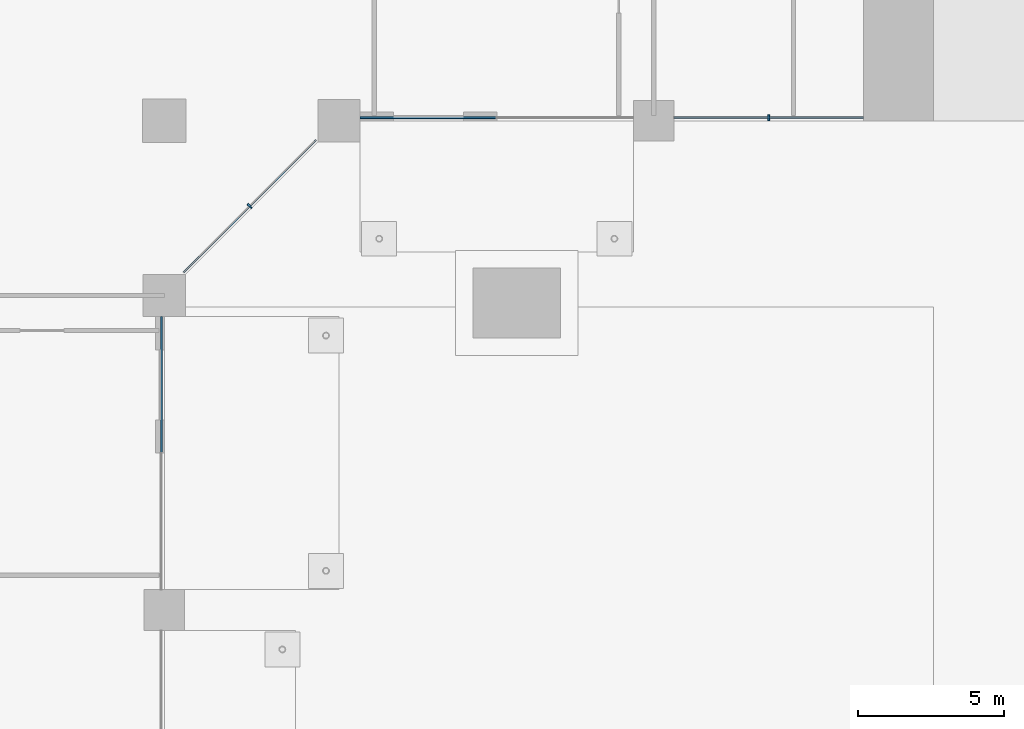
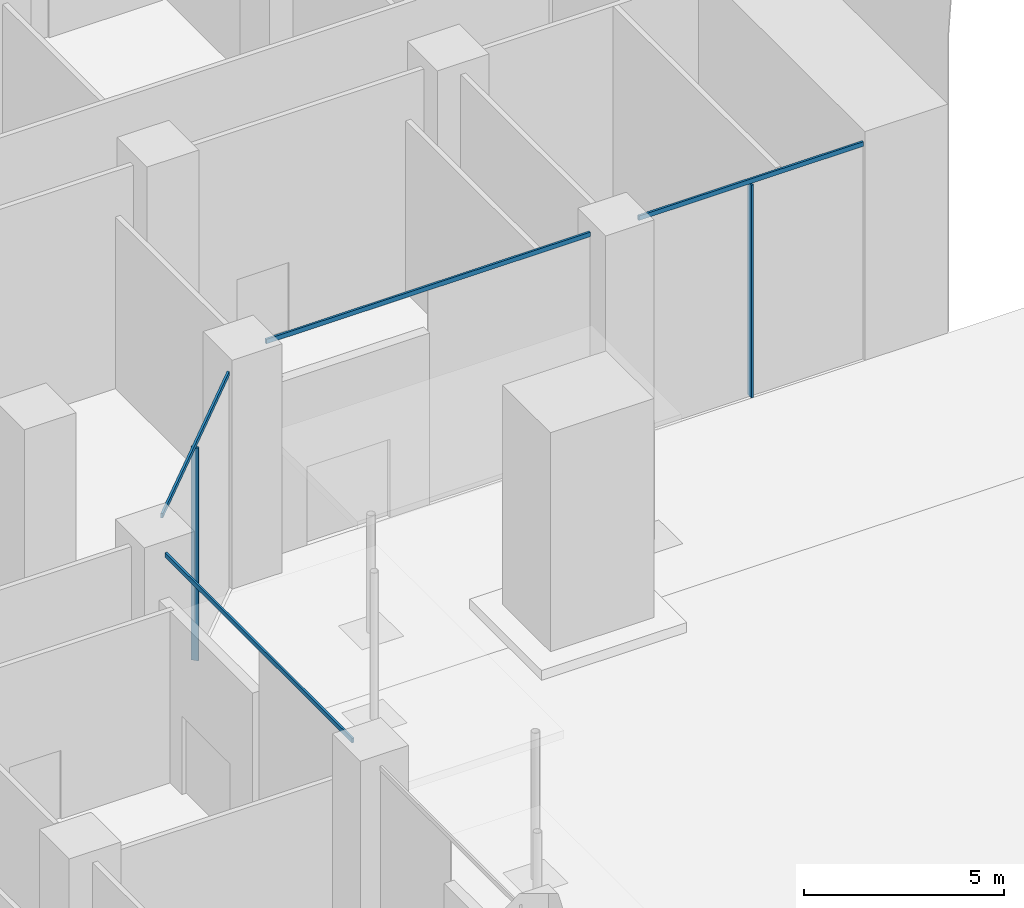
# One storey, part 11 of 32: 6 members, 3 elements without a shape of their own.
"""IFC4 building model written with IfcOpenShell, lengths in metres."""

import ifcopenshell
import ifcopenshell.guid

model = None  # the IFC model being written
_history = None  # IfcOwnerHistory: only IFC2X3 demands one
_inside = {}  # id of a spatial element -> (the spatial element, [elements in it])
_under = {}  # id of a project, library or spatial element -> (it, [spatial elements below it])
_declared = {}  # id of a project -> (the project, [libraries it declares])
_typed = {}  # id of a type object -> (the type object, [elements of that type])
_made_of = {}  # id of a material, layer set ... -> (it, [elements and type objects made of it])


def new_model(schema):
    """Start an empty IFC model of exactly this schema.

    Asked for "IFC4X3", IfcOpenShell would pick the latest addendum, in which some entities
    have other attributes; the version numbers below select the first issue.
    IFC2X3 requires an IfcOwnerHistory on every rooted entity: one is made here for all.
    """
    global model, _history
    if schema == "IFC4X3":
        model = ifcopenshell.file(schema_version=(4, 3, 0, 0))
    else:
        model = ifcopenshell.file(schema=schema)
    _inside.clear()
    _under.clear()
    _declared.clear()
    _typed.clear()
    _made_of.clear()
    _history = None
    if model.schema == "IFC2X3":
        org = make("IfcOrganization", Name="unknown")
        user = make(
            "IfcPersonAndOrganization",
            ThePerson=make("IfcPerson", FamilyName="unknown"),
            TheOrganization=org,
        )
        app = make(
            "IfcApplication",
            ApplicationDeveloper=org,
            Version="unknown",
            ApplicationFullName="unknown",
            ApplicationIdentifier="unknown",
        )
        _history = make(
            "IfcOwnerHistory",
            OwningUser=user,
            OwningApplication=app,
            ChangeAction="ADDED",
            CreationDate=0,
        )
    return model


def make(cls, **values):
    """One entity of the class cls with the attributes given. An attribute that is None is left unset."""
    return model.create_entity(
        cls, **{name: value for name, value in values.items() if value is not None}
    )


def rooted(cls, **values):
    """An entity with a GlobalId (a new one), such as an element, a storey or a relation."""
    return make(cls, GlobalId=ifcopenshell.guid.new(), OwnerHistory=_history, **values)


def si_unit(unit_type, name, prefix=None):
    """IfcSIUnit, for example si_unit("LENGTHUNIT", "METRE", prefix="MILLI")."""
    return make("IfcSIUnit", UnitType=unit_type, Prefix=prefix, Name=name)


def assignment(units):
    """IfcUnitAssignment: the units of a project."""
    return None if units is None else make("IfcUnitAssignment", Units=units)


def point(xyz):
    """IfcCartesianPoint."""
    return None if xyz is None else make("IfcCartesianPoint", Coordinates=xyz)


def direction(xyz):
    """IfcDirection."""
    return None if xyz is None else make("IfcDirection", DirectionRatios=xyz)


def frame(location, z_axis=None, x_axis=None):
    """IfcAxis2Placement3D, a coordinate frame: its origin and axes. An axis left out is left unset."""
    return make(
        "IfcAxis2Placement3D",
        Location=point(location),
        Axis=direction(z_axis),
        RefDirection=direction(x_axis),
    )


def frame_2d(location, x_axis=None):
    """IfcAxis2Placement2D, a coordinate frame in the plane: its origin and x axis."""
    return make(
        "IfcAxis2Placement2D", Location=point(location), RefDirection=direction(x_axis)
    )


def origin():
    """The frame at (0, 0, 0) with its axes left unset."""
    return frame((0.0, 0.0, 0.0))


def origin_2d():
    """The frame at (0, 0) in the plane with its x axis left unset."""
    return frame_2d((0.0, 0.0))


def place(relative_to, where):
    """IfcLocalPlacement: puts the frame where relative to a parent placement (None: the world)."""
    return make(
        "IfcLocalPlacement", PlacementRelTo=relative_to, RelativePlacement=where
    )


def context(
    kind, dimensions, precision=None, world=None, true_north=None, identifier=None
):
    """IfcGeometricRepresentationContext, for example the 3D "Model" context."""
    return make(
        "IfcGeometricRepresentationContext",
        ContextIdentifier=identifier,
        ContextType=kind,
        CoordinateSpaceDimension=dimensions,
        Precision=precision,
        WorldCoordinateSystem=world,
        TrueNorth=true_north,
    )


def subcontext(parent, identifier, kind, view, scale=None):
    """IfcGeometricRepresentationSubContext, for example "Body" below "Model"."""
    return make(
        "IfcGeometricRepresentationSubContext",
        ContextIdentifier=identifier,
        ContextType=kind,
        ParentContext=parent,
        TargetScale=scale,
        TargetView=view,
    )


def project(units=None, contexts=None):
    """IfcProject with its units and contexts."""
    return rooted(
        "IfcProject",
        Name="project",
        RepresentationContexts=contexts,
        UnitsInContext=assignment(units),
    )


def spatial(cls, under=None, at=None, **own):
    """A site, building, storey or space (cls), placed at a placement, below another one or the project."""
    s = rooted(cls, ObjectPlacement=at, **own)
    if under is not None:
        _under.setdefault(under.id(), (under, []))[1].append(s)
    return s


def profile(cls, at=None, kind="AREA", **sizes):
    """A parametric profile (cls). Its sizes go by their IFC names, for example OverallWidth=200.0."""
    return make(cls, ProfileType=kind, Position=at, **sizes)


def rectangle(**sizes):
    """IfcRectangleProfileDef."""
    return profile("IfcRectangleProfileDef", **sizes)


def extrude(swept, where, along, depth):
    """IfcExtrudedAreaSolid: the profile swept, set in the frame where, extruded along a direction by depth."""
    return make(
        "IfcExtrudedAreaSolid",
        SweptArea=swept,
        Position=where,
        ExtrudedDirection=direction(along),
        Depth=depth,
    )


def shape(context_of_items, identifier, shape_type, items):
    """IfcShapeRepresentation: the items that make up one representation, for example the "Body"."""
    return make(
        "IfcShapeRepresentation",
        ContextOfItems=context_of_items,
        RepresentationIdentifier=identifier,
        RepresentationType=shape_type,
        Items=items,
    )


def material(Name=None, Category=None):
    """IfcMaterial."""
    return make("IfcMaterial", Name=Name, Category=Category)


def layer(
    of_material, thickness, ventilated=None, Name=None, Category=None, Priority=None
):
    """IfcMaterialLayer: one layer of a wall or slab, of a material (None: an air gap)."""
    return make(
        "IfcMaterialLayer",
        Material=of_material,
        LayerThickness=thickness,
        IsVentilated=ventilated,
        Name=Name,
        Category=Category,
        Priority=Priority,
    )


def layer_set(layers, Name=None):
    """IfcMaterialLayerSet."""
    return make("IfcMaterialLayerSet", MaterialLayers=layers, LayerSetName=Name)


def material_profile(
    of_material, cross_section, Name=None, Category=None, Priority=None
):
    """IfcMaterialProfile: a cross section and its material."""
    return make(
        "IfcMaterialProfile",
        Name=Name,
        Material=of_material,
        Profile=cross_section,
        Priority=Priority,
        Category=Category,
    )


def profile_set(profiles, Name=None, composite=None):
    """IfcMaterialProfileSet."""
    return make(
        "IfcMaterialProfileSet",
        Name=Name,
        MaterialProfiles=profiles,
        CompositeProfile=composite,
    )


def made_of(thing, what):
    """Note that an element or type object is made of a material, layer set ...; save() writes the relation."""
    if what is not None:
        _made_of.setdefault(what.id(), (what, []))[1].append(thing)
    return thing


def type_object(cls, material=None, **own):
    """A type object (cls), such as IfcWallType, which elements share."""
    return made_of(rooted(cls, **own), material)


def element(
    cls,
    number,
    at=None,
    inside=None,
    cuts=None,
    type_object=None,
    material=None,
    context=None,
    identifier="Body",
    shape_type=None,
    held_by="IfcProductDefinitionShape",
    body=None,
    shapes=None,
    **own,
):
    """One element of the class cls, such as IfcWall. Its Tag is "e" and its number.

    at: its placement. inside: the storey or other place that contains it. cuts: it is an
    opening in that element (IfcRelVoidsElement). A single representation is given by context,
    identifier, shape_type and body (its items); several are given by shapes. held_by: the class
    of the entity that holds the representations. save() writes the other relations.
    """
    e = rooted(cls, Tag="e%d" % number, ObjectPlacement=at, **own)
    if body is not None:
        shapes = [shape(context, identifier, shape_type, body)]
    if shapes is not None:
        e.Representation = make(held_by, Representations=shapes)
    if inside is not None:
        _inside.setdefault(inside.id(), (inside, []))[1].append(e)
    if cuts is not None:
        rooted(
            "IfcRelVoidsElement", RelatingBuildingElement=cuts, RelatedOpeningElement=e
        )
    if type_object is not None:
        _typed.setdefault(type_object.id(), (type_object, []))[1].append(e)
    return made_of(e, material)


def aggregate(whole, parts):
    """IfcRelAggregates: a whole, such as a stair, and the parts it consists of."""
    return rooted("IfcRelAggregates", RelatingObject=whole, RelatedObjects=parts)


def save(model, path):
    """Write the relations noted so far, then the file.

    IfcRelAggregates (storeys below a building ...), IfcRelContainedInSpatialStructure (elements
    in a storey), IfcRelDefinesByType, IfcRelAssociatesMaterial and IfcRelDeclares: one each for
    every whole, place, type object, material and project.
    """
    for whole, parts in _under.values():
        aggregate(whole, parts)
    for where, things in _inside.values():
        rooted(
            "IfcRelContainedInSpatialStructure",
            RelatedElements=things,
            RelatingStructure=where,
        )
    for kind, things in _typed.values():
        rooted("IfcRelDefinesByType", RelatedObjects=things, RelatingType=kind)
    for what, things in _made_of.values():
        rooted("IfcRelAssociatesMaterial", RelatedObjects=things, RelatingMaterial=what)
    for by, libraries in _declared.values():
        rooted("IfcRelDeclares", RelatingContext=by, RelatedDefinitions=libraries)
    model.write(path)


model = new_model("IFC4")

# Units and contexts
model_context = context("Model", 3, precision=1e-05, world=origin(), true_north=direction((0.0, 1.0)))
body_context = subcontext(model_context, "Body", "Model", "MODEL_VIEW")
ifc_project = project(units=[si_unit("LENGTHUNIT", "METRE"), si_unit("AREAUNIT", "SQUARE_METRE"), si_unit("VOLUMEUNIT", "CUBIC_METRE"), si_unit("PLANEANGLEUNIT", "RADIAN"), si_unit("MASSUNIT", "GRAM", prefix="KILO")], contexts=[model_context])

# Site, building, storey
site_placement = place(None, origin())
site = spatial("IfcSite", under=ifc_project, at=site_placement, CompositionType="ELEMENT")
building_placement = place(site_placement, origin())
building = spatial("IfcBuilding", under=site, at=building_placement, Name="Kawkab Arch Medical Tower", CompositionType="ELEMENT")
storey_placement = place(building_placement, origin())
storey = spatial("IfcBuildingStorey", under=building, at=storey_placement, Name="L01", CompositionType="ELEMENT", Elevation=0.0)

# Curtain wall, member
ifc_material_1 = material(Name="Bronze anodised aluminium curtain wall frame", Category="aluminium")
ifc_layer = layer(ifc_material_1, 0.159912109375)
ifc_layer_set = layer_set([ifc_layer], Name="Bronze anodised aluminium curtain wall frame")
curtain_wall_type = type_object("IfcCurtainWallType", Name="CW5 podium green glass curtain wall", PredefinedType="NOTDEFINED", material=ifc_layer_set)
placement = place(storey_placement, origin())
curtain_wall_1 = element("IfcCurtainWall", 1, at=placement, inside=storey, type_object=curtain_wall_type, Name="CW5 Podium green glass curtain wall R03", PredefinedType="NOTDEFINED")
ifc_material_2 = material(Name="Bronze anodised aluminium curtain wall frame", Category="aluminium")
ifc_material_profile_1 = material_profile(ifc_material_2, rectangle(XDim=0.199951171875, YDim=0.06005859375, at=origin_2d()), Name="AL 60x200")
ifc_profile_set_1 = profile_set([ifc_material_profile_1], Name="Bronze anodised aluminium curtain wall frame")
member_type_1 = type_object("IfcMemberType", Name="CW5 mullion 60 x 200", PredefinedType="MULLION", material=ifc_profile_set_1)
member_1_placement = place(storey_placement, frame((36.529296875, -36.529296875, 0.0), z_axis=(0.0, 0.0, 1.0), x_axis=(-0.707106781187, 0.707106781187, 0.0)))
member_1 = element("IfcMember", 2, at=member_1_placement, type_object=member_type_1, Name="CW5 mullion 1.1", PredefinedType="MULLION", context=body_context, shape_type="SweptSolid", body=[
    extrude(rectangle(XDim=0.199951171875, YDim=0.06005859375, at=origin_2d()), origin(), (0.0, 0.0, 1.0), 6.510009765625),
])

curtain_wall_2 = element("IfcCurtainWall", 3, at=placement, inside=storey, type_object=curtain_wall_type, Name="CW5 Podium green glass curtain wall R04", PredefinedType="NOTDEFINED")
member_2_placement = place(storey_placement, frame((54.35009765625, -33.5, 0.0), z_axis=(0.0, 0.0, 1.0), x_axis=(0.0, 1.0, 0.0)))
member_2 = element("IfcMember", 4, at=member_2_placement, type_object=member_type_1, Name="CW5 mullion 2.1", PredefinedType="MULLION", context=body_context, shape_type="SweptSolid", body=[
    extrude(rectangle(XDim=0.199951171875, YDim=0.06005859375, at=origin_2d()), origin(), (0.0, 0.0, 1.0), 6.510009765625),
])

curtain_wall_3 = element("IfcCurtainWall", 5, at=placement, inside=storey, type_object=curtain_wall_type, Name="CW5 Podium green glass curtain wall R02", PredefinedType="NOTDEFINED")
ifc_material_3 = material(Name="Bronze anodised aluminium curtain wall frame", Category="aluminium")
ifc_material_profile_2 = material_profile(ifc_material_3, rectangle(XDim=0.06005859375, YDim=0.139892578125, at=origin_2d()), Name="AL 60x140")
ifc_profile_set_2 = profile_set([ifc_material_profile_2], Name="Bronze anodised aluminium curtain wall frame")
member_type_2 = type_object("IfcMemberType", Name="CW5 transom 140 x 60", PredefinedType="USERDEFINED", material=ifc_profile_set_2)
member_3_placement = place(storey_placement, frame((33.5, -49.699951171875, 6.580078125), z_axis=(0.0, 1.0, 0.0), x_axis=(-1.0, 0.0, 0.0)))
member_3 = element("IfcMember", 6, at=member_3_placement, type_object=member_type_2, Name="CW5 transom 4", ObjectType="TRANSOM", PredefinedType="USERDEFINED", context=body_context, shape_type="SweptSolid", body=[
    extrude(rectangle(XDim=0.06005859375, YDim=0.139892578125, at=origin_2d()), origin(), (0.0, 0.0, 1.0), 9.375),
])
aggregate(curtain_wall_3, [member_3])

# Member
member_4_placement = place(storey_placement, frame((34.25439453125, -38.80419921875, 6.580078125), z_axis=(0.707106781187, 0.707106781187, 0.0), x_axis=(-0.707106781187, 0.707106781187, 0.0)))
member_4 = element("IfcMember", 7, at=member_4_placement, type_object=member_type_2, Name="CW5 transom 1", ObjectType="TRANSOM", PredefinedType="USERDEFINED", context=body_context, shape_type="SweptSolid", body=[
    extrude(rectangle(XDim=0.06005859375, YDim=0.139892578125, at=origin_2d()), origin(), (0.0, 0.0, 1.0), 6.434326171875),
])

aggregate(curtain_wall_1, [member_4, member_1])

member_5_placement = place(storey_placement, frame((40.324951171875, -33.5, 6.580078125), z_axis=(1.0, 0.0, 0.0), x_axis=(0.0, 1.0, 0.0)))
member_5 = element("IfcMember", 8, at=member_5_placement, type_object=member_type_2, Name="CW5 transom 1", ObjectType="TRANSOM", PredefinedType="USERDEFINED", context=body_context, shape_type="SweptSolid", body=[
    extrude(rectangle(XDim=0.06005859375, YDim=0.139892578125, at=origin_2d()), origin(), (0.0, 0.0, 1.0), 9.375),
])

member_6_placement = place(storey_placement, frame((51.10009765625, -33.5, 6.580078125), z_axis=(1.0, 0.0, 0.0), x_axis=(0.0, 1.0, 0.0)))
member_6 = element("IfcMember", 9, at=member_6_placement, type_object=member_type_2, Name="CW5 transom 2", ObjectType="TRANSOM", PredefinedType="USERDEFINED", context=body_context, shape_type="SweptSolid", body=[
    extrude(rectangle(XDim=0.06005859375, YDim=0.139892578125, at=origin_2d()), origin(), (0.0, 0.0, 1.0), 6.5),
])

aggregate(curtain_wall_2, [member_5, member_6, member_2])

save(model, "model.ifc")
